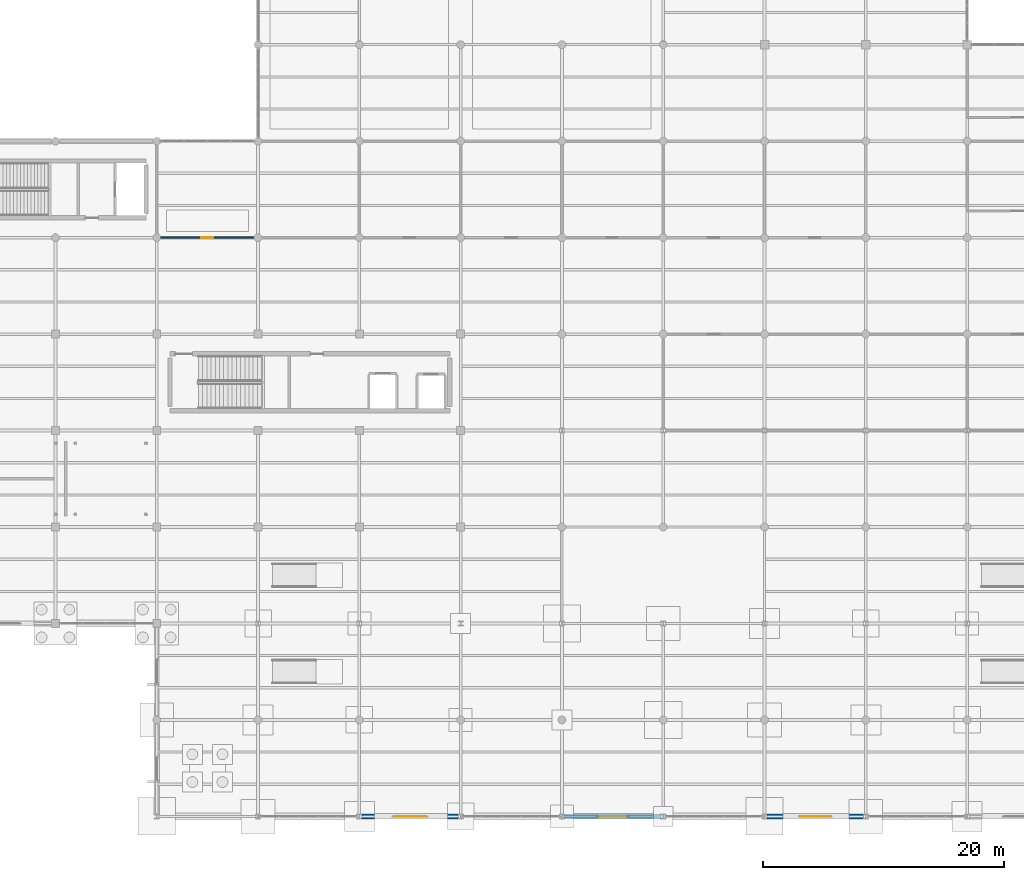
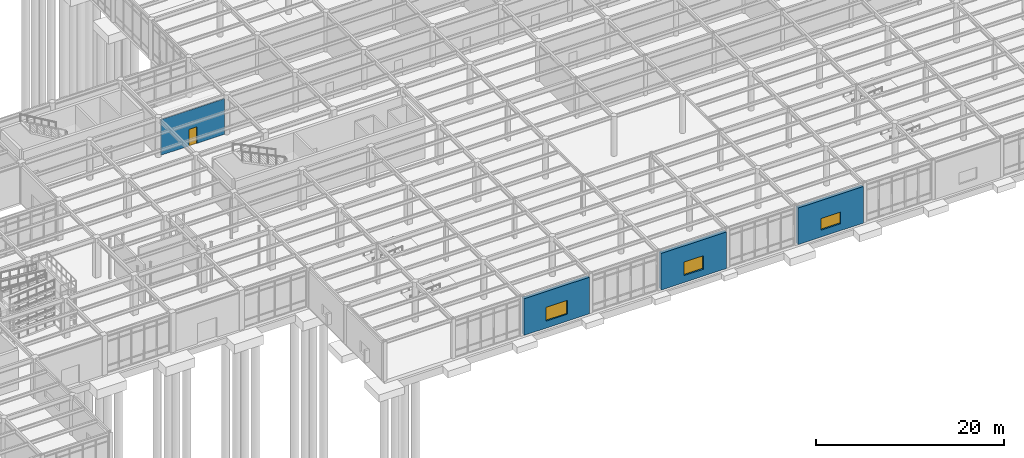
# One storey, part 77 of 138: 4 walls, 3 windows, 1 door, 4 openings.
"""IFC4 building model written with IfcOpenShell, lengths in metres."""

from ifc_helpers import new_model, si_unit, direction, frame, frame_2d, origin, place, context, subcontext, project, spatial, rectangle, extrude, material, layer, layer_set, type_object, element, fill, save


model = new_model("IFC4")

# Units and contexts
model_context = context("Model", 3, precision=1e-05, world=origin(), true_north=direction((0.0, 1.0)))
body_context = subcontext(model_context, "Body", "Model", "MODEL_VIEW")
ifc_project = project(units=[si_unit("LENGTHUNIT", "METRE"), si_unit("AREAUNIT", "SQUARE_METRE"), si_unit("VOLUMEUNIT", "CUBIC_METRE"), si_unit("PLANEANGLEUNIT", "RADIAN"), si_unit("MASSUNIT", "GRAM", prefix="KILO")], contexts=[model_context])

# Site, building, storey
site_placement = place(None, origin())
site = spatial("IfcSite", under=ifc_project, at=site_placement, CompositionType="ELEMENT")
building_placement = place(site_placement, origin())
building = spatial("IfcBuilding", under=site, at=building_placement, Name="Kranzveld Transit Interchange", CompositionType="ELEMENT")
storey_placement = place(building_placement, origin())
storey = spatial("IfcBuildingStorey", under=building, at=storey_placement, Name="L00", CompositionType="ELEMENT", Elevation=0.0)

# Wall, opening, window
ifc_material_1 = material(Name="Dark Pretoria clinker clay plinth brick, 40 MPa", Category="masonry")
ifc_layer_1 = layer(ifc_material_1, 0.409912109375)
ifc_layer_set_1 = layer_set([ifc_layer_1], Name="Dark Pretoria clinker clay plinth brick, 40 MPa")
wall_type_1 = type_object("IfcWallType", Name="Exterior Arcade Wall Dark Clinker 410", PredefinedType="SOLIDWALL", material=ifc_layer_set_1)
wall_1_placement = place(storey_placement, frame((67.3994140625, 0.0, 0.0), z_axis=(0.0, 0.0, 1.0), x_axis=(1.0, 0.0, 0.0)))
wall_1 = element("IfcWall", 1, at=wall_1_placement, inside=storey, type_object=wall_type_1, Name="L00 Clinker Facade Wall 09/A-10/A", PredefinedType="SOLIDWALL", context=body_context, shape_type="SweptSolid", body=[
    extrude(rectangle(XDim=8.0009765625, YDim=0.409912109375, at=frame_2d((4.00048828125, 0.0))), origin(), (0.0, 0.0, 1.0), 4.740478515625),
])
opening_1_placement = place(wall_1_placement, frame((2.700439453125, 0.0, 0.89990234375), z_axis=(0.0, 0.0, 1.0), x_axis=(1.0, 0.0, 0.0)))
opening_1 = element("IfcOpeningElement", 2, at=opening_1_placement, cuts=wall_1, Name="Opening W-06", PredefinedType="OPENING", context=body_context, shape_type="SweptSolid", body=[
    extrude(rectangle(XDim=2.60009765625, YDim=1.800048828125, at=frame_2d((1.300048828125, 0.89990234375))), frame((0.0, 0.21484375, 0.0), z_axis=(0.0, -1.0, 0.0), x_axis=(1.0, 0.0, 0.0)), (0.0, 0.0, 1.0), 0.429931640625),
])
ifc_material_2 = material(Name="Solar-control double glazing", Category="glass")
window_type_1 = type_object("IfcWindowType", Name="Window Civic Double 2600x1800", PartitioningType="DOUBLE_PANEL_VERTICAL", PredefinedType="WINDOW", material=ifc_material_2)
window_1_placement = place(opening_1_placement, origin())
window_1 = element("IfcWindow", 3, at=window_1_placement, inside=storey, type_object=window_type_1, Name="L00 Facade Window 09/A", OverallHeight=1.800048828125, OverallWidth=2.60009765625, PartitioningType="DOUBLE_PANEL_VERTICAL", PredefinedType="WINDOW", context=body_context, shape_type="SweptSolid", body=[
    extrude(rectangle(XDim=2.60009765625, YDim=1.800048828125, at=frame_2d((1.300048828125, 0.89990234375))), frame((0.0, 0.030029296875, 0.0), z_axis=(0.0, -1.0, 0.0), x_axis=(1.0, 0.0, 0.0)), (0.0, 0.0, 1.0), 0.06005859375),
])
fill(opening_1, window_1)

wall_2_placement = place(storey_placement, frame((100.99951171875, 0.0, 0.0), z_axis=(0.0, 0.0, 1.0), x_axis=(1.0, 0.0, 0.0)))
wall_2 = element("IfcWall", 4, at=wall_2_placement, inside=storey, type_object=wall_type_1, Name="L00 Clinker Facade Wall 13/A-14/A", PredefinedType="SOLIDWALL", context=body_context, shape_type="SweptSolid", body=[
    extrude(rectangle(XDim=8.0009765625, YDim=0.409912109375, at=frame_2d((4.00048828125, 0.0))), origin(), (0.0, 0.0, 1.0), 4.740478515625),
])
opening_2_placement = place(wall_2_placement, frame((2.800537109375, 0.0, 0.89990234375), z_axis=(0.0, 0.0, 1.0), x_axis=(1.0, 0.0, 0.0)))
opening_2 = element("IfcOpeningElement", 5, at=opening_2_placement, cuts=wall_2, Name="Opening W-08", PredefinedType="OPENING", context=body_context, shape_type="SweptSolid", body=[
    extrude(rectangle(XDim=2.39990234375, YDim=1.5, at=frame_2d((1.199951171875, 0.75))), frame((0.0, 0.21484375, 0.0), z_axis=(0.0, -1.0, 0.0), x_axis=(1.0, 0.0, 0.0)), (0.0, 0.0, 1.0), 0.429931640625),
])
ifc_material_3 = material(Name="Solar-control double glazing", Category="glass")
window_type_2 = type_object("IfcWindowType", Name="Window Civic Double 2400x1500", PartitioningType="DOUBLE_PANEL_VERTICAL", PredefinedType="WINDOW", material=ifc_material_3)
window_2_placement = place(opening_2_placement, origin())
window_2 = element("IfcWindow", 6, at=window_2_placement, inside=storey, type_object=window_type_2, Name="L00 Facade Window 13/A", OverallHeight=1.5, OverallWidth=2.39990234375, PartitioningType="DOUBLE_PANEL_VERTICAL", PredefinedType="WINDOW", context=body_context, shape_type="SweptSolid", body=[
    extrude(rectangle(XDim=2.39990234375, YDim=1.5, at=frame_2d((1.199951171875, 0.75))), frame((0.0, 0.030029296875, 0.0), z_axis=(0.0, -1.0, 0.0), x_axis=(1.0, 0.0, 0.0)), (0.0, 0.0, 1.0), 0.06005859375),
])
fill(opening_2, window_2)

ifc_material_4 = material(Name="Dark Pretoria clinker clay plinth brick, 40 MPa", Category="masonry")
ifc_layer_2 = layer(ifc_material_4, 0.43994140625)
ifc_layer_set_2 = layer_set([ifc_layer_2], Name="Dark Pretoria clinker clay plinth brick, 40 MPa")
wall_type_2 = type_object("IfcWallType", Name="Exterior Plinth Wall Dark Clinker 440", PredefinedType="SOLIDWALL", material=ifc_layer_set_2)
wall_3_placement = place(storey_placement, frame((84.199462890625, 0.0, 0.0), z_axis=(0.0, 0.0, 1.0), x_axis=(1.0, 0.0, 0.0)))
wall_3 = element("IfcWall", 7, at=wall_3_placement, inside=storey, type_object=wall_type_2, Name="L00 Clinker Facade Wall 11/A-12/A", PredefinedType="SOLIDWALL", context=body_context, shape_type="SweptSolid", body=[
    extrude(rectangle(XDim=8.0009765625, YDim=0.43994140625, at=frame_2d((4.00048828125, 0.0))), origin(), (0.0, 0.0, 1.0), 4.740478515625),
])
opening_3_placement = place(wall_3_placement, frame((2.800537109375, 0.0, 0.89990234375), z_axis=(0.0, 0.0, 1.0), x_axis=(1.0, 0.0, 0.0)))
opening_3 = element("IfcOpeningElement", 8, at=opening_3_placement, cuts=wall_3, Name="Opening W-07", PredefinedType="OPENING", context=body_context, shape_type="SweptSolid", body=[
    extrude(rectangle(XDim=2.39990234375, YDim=1.75, at=frame_2d((1.199951171875, 0.875))), frame((0.0, 0.22998046875, 0.0), z_axis=(0.0, -1.0, 0.0), x_axis=(1.0, 0.0, 0.0)), (0.0, 0.0, 1.0), 0.4599609375),
])
ifc_material_5 = material(Name="Solar-control double glazing", Category="glass")
window_type_3 = type_object("IfcWindowType", Name="Window Civic Double 2400x1750", PartitioningType="DOUBLE_PANEL_VERTICAL", PredefinedType="WINDOW", material=ifc_material_5)
window_3_placement = place(opening_3_placement, origin())
window_3 = element("IfcWindow", 9, at=window_3_placement, inside=storey, type_object=window_type_3, Name="L00 Facade Window 11/A", OverallHeight=1.75, OverallWidth=2.39990234375, PartitioningType="DOUBLE_PANEL_VERTICAL", PredefinedType="WINDOW", context=body_context, shape_type="SweptSolid", body=[
    extrude(rectangle(XDim=2.39990234375, YDim=1.75, at=frame_2d((1.199951171875, 0.875))), frame((0.0, 0.030029296875, 0.0), z_axis=(0.0, -1.0, 0.0), x_axis=(1.0, 0.0, 0.0)), (0.0, 0.0, 1.0), 0.06005859375),
])
fill(opening_3, window_3)

# Wall, opening, door
ifc_material_6 = material(Name="Clay masonry unit wall, 20 MPa", Category="masonry")
ifc_layer_3 = layer(ifc_material_6, 0.125)
ifc_layer_set_3 = layer_set([ifc_layer_3], Name="Clay masonry unit wall, 20 MPa")
wall_type_3 = type_object("IfcWallType", Name="Internal Blockwork Partition 125", PredefinedType="PARTITIONING", material=ifc_layer_set_3)
wall_4_placement = place(storey_placement, frame((50.715087890625, 48.0, 0.0), z_axis=(0.0, 0.0, 1.0), x_axis=(1.0, 0.0, 0.0)))
wall_4 = element("IfcWall", 10, at=wall_4_placement, inside=storey, type_object=wall_type_3, Name="L00 Partition IW-L00-L00V1W-FRT-004-0", PredefinedType="PARTITIONING", context=body_context, shape_type="SweptSolid", body=[
    extrude(rectangle(XDim=7.77001953125, YDim=0.125, at=frame_2d((3.885009765625, 0.0))), origin(), (0.0, 0.0, 1.0), 4.60546875),
])
opening_4_placement = place(wall_4_placement, frame((3.385009765625, 0.0, 0.0), z_axis=(0.0, 0.0, 1.0), x_axis=(1.0, 0.0, 0.0)))
opening_4 = element("IfcOpeningElement", 11, at=opening_4_placement, cuts=wall_4, Name="Opening D-004", PredefinedType="OPENING", context=body_context, shape_type="SweptSolid", body=[
    extrude(rectangle(XDim=0.97998046875, YDim=2.14990234375, at=frame_2d((0.489990234375, 1.074951171875))), frame((0.0, 0.072509765625, 0.0), z_axis=(0.0, -1.0, 0.0), x_axis=(1.0, 0.0, 0.0)), (0.0, 0.0, 1.0), 0.14501953125),
])
ifc_material_7 = material(Name="Bronze-anodised thermally broken aluminium", Category="aluminium")
door_type = type_object("IfcDoorType", Name="Retail Back-of-House Door 980x2150", OperationType="NOTDEFINED", PredefinedType="DOOR", material=ifc_material_7)
door_placement = place(opening_4_placement, origin())
door = element("IfcDoor", 12, at=door_placement, inside=storey, type_object=door_type, Name="L00 Interior Door D-004", OperationType="SINGLE_SWING_LEFT", OverallHeight=2.14990234375, OverallWidth=0.97998046875, PredefinedType="DOOR", context=body_context, shape_type="SweptSolid", body=[
    extrude(rectangle(XDim=0.97998046875, YDim=2.14990234375, at=frame_2d((0.489990234375, 1.074951171875))), frame((0.0, 0.02490234375, 0.0), z_axis=(0.0, -1.0, 0.0), x_axis=(1.0, 0.0, 0.0)), (0.0, 0.0, 1.0), 0.050048828125),
])
fill(opening_4, door)

save(model, "model.ifc")
